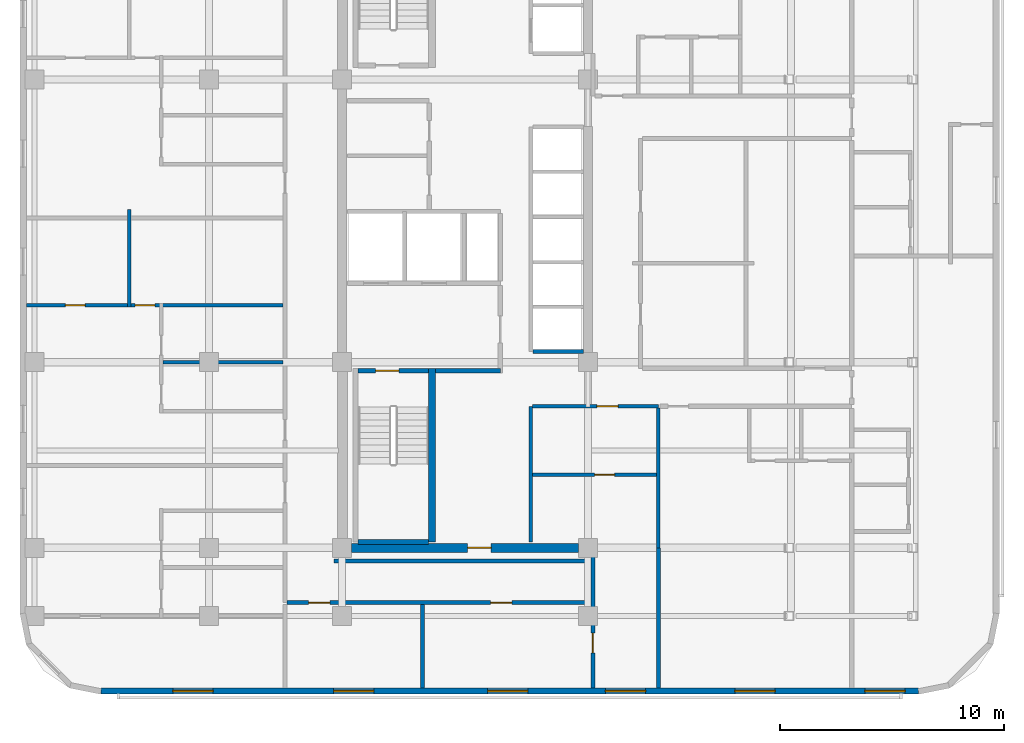
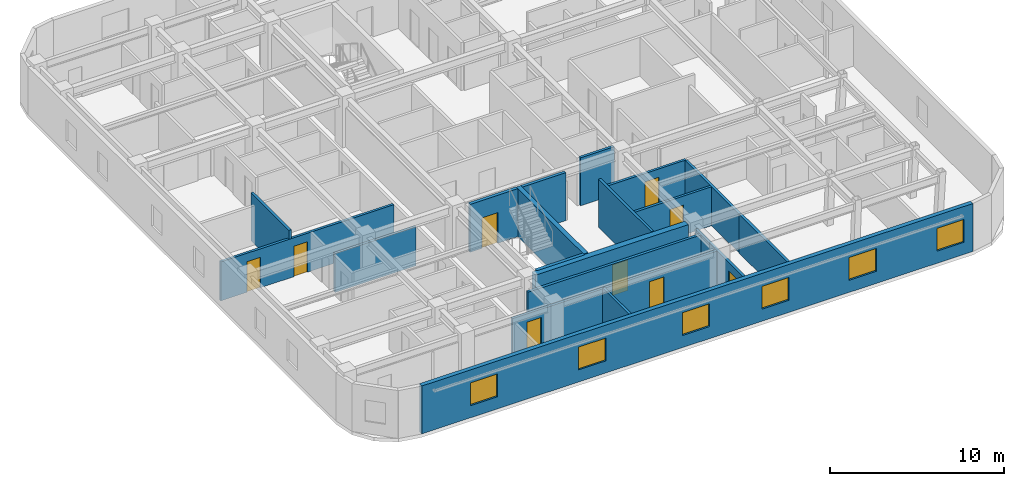
# One storey, part 3 of 11: 19 walls, 9 doors, 6 windows, 15 openings.
"""IFC4 building model written with IfcOpenShell, lengths in metres."""

from ifc_helpers import new_model, si_unit, direction, frame, frame_2d, origin, place, context, subcontext, project, spatial, rectangle, extrude, material, layer, layer_set, type_object, element, fill, save


model = new_model("IFC4")

# Units and contexts
model_context = context("Model", 3, precision=1e-05, world=origin(), true_north=direction((0.0, 1.0)))
body_context = subcontext(model_context, "Body", "Model", "MODEL_VIEW")
ifc_project = project(units=[si_unit("LENGTHUNIT", "METRE"), si_unit("AREAUNIT", "SQUARE_METRE"), si_unit("VOLUMEUNIT", "CUBIC_METRE"), si_unit("PLANEANGLEUNIT", "RADIAN"), si_unit("MASSUNIT", "GRAM", prefix="KILO")], contexts=[model_context])

# Site, building, storey
site_placement = place(None, origin())
site = spatial("IfcSite", under=ifc_project, at=site_placement, CompositionType="ELEMENT")
building_placement = place(site_placement, origin())
building = spatial("IfcBuilding", under=site, at=building_placement, Name="Ochreholt Gables", CompositionType="ELEMENT")
storey_placement = place(building_placement, frame((0.0, 0.0, 121.199951171875)))
storey = spatial("IfcBuildingStorey", under=building, at=storey_placement, Name="L31", CompositionType="ELEMENT", Elevation=121.199951171875)

# Wall, opening, door
ifc_material_1 = material(Name="Concrete 60 MPa", Category="concrete")
ifc_layer_1 = layer(ifc_material_1, 0.39990234375, Name="Concrete 60 MPa")
ifc_layer_set_1 = layer_set([ifc_layer_1], Name="Concrete 60 MPa")
wall_type_1 = type_object("IfcWallType", Name="WALL-CSW-400", PredefinedType="SHEAR", material=ifc_layer_set_1)
wall_1_placement = place(storey_placement, frame((24.625, 9.25, 0.0), z_axis=(0.0, 0.0, 1.0), x_axis=(1.0, 0.0, 0.0)))
wall_1 = element("IfcWall", 1, at=wall_1_placement, inside=storey, type_object=wall_type_1, Name="L31 Core South Shear Wall", PredefinedType="SHEAR", context=body_context, shape_type="SweptSolid", body=[
    extrude(rectangle(XDim=10.14990234375, YDim=0.39990234375, at=frame_2d((5.074951171875, 0.0))), origin(), (0.0, 0.0, 1.0), 3.360107421875),
])
opening_1_placement = place(wall_1_placement, frame((5.199951171875, 0.0, 0.0)))
opening_1 = element("IfcOpeningElement", 2, at=opening_1_placement, cuts=wall_1, Name="Opening D-FLB", PredefinedType="OPENING", context=body_context, shape_type="SweptSolid", body=[
    extrude(rectangle(XDim=1.050048828125, YDim=2.14990234375, at=frame_2d((0.52490234375, 1.074951171875))), frame((0.0, 0.2099609375, 0.0), z_axis=(0.0, -1.0, 0.0), x_axis=(1.0, 0.0, 0.0)), (0.0, 0.0, 1.0), 0.419921875),
])
ifc_material_2 = material(Name="Hollow Metal Steel", Category="steel")
door_type_1 = type_object("IfcDoorType", Name="DR-INT-FLB1050", OperationType="NOTDEFINED", PredefinedType="DOOR", material=ifc_material_2)
door_1_placement = place(opening_1_placement, origin())
door_1 = element("IfcDoor", 3, at=door_1_placement, inside=storey, type_object=door_type_1, Name="L31 Door D-C2CRS-L31", OperationType="SINGLE_SWING_LEFT", OverallHeight=2.14990234375, OverallWidth=1.050048828125, PredefinedType="DOOR", context=body_context, shape_type="SweptSolid", body=[
    extrude(rectangle(XDim=1.050048828125, YDim=2.14990234375, at=frame_2d((0.52490234375, 1.074951171875))), frame((0.0, 0.02490234375, 0.0), z_axis=(0.0, -1.0, 0.0), x_axis=(1.0, 0.0, 0.0)), (0.0, 0.0, 1.0), 0.050048828125),
])
fill(opening_1, door_1)

# Wall, openings, windows
ifc_material_3 = material(Name="Precast concrete 40 MPa", Category="concrete")
ifc_layer_2 = layer(ifc_material_3, 0.280029296875, Name="Precast concrete 40 MPa")
ifc_layer_set_2 = layer_set([ifc_layer_2], Name="Precast concrete 40 MPa")
wall_type_2 = type_object("IfcWallType", Name="WALL-EXT-280", PredefinedType="SOLIDWALL", material=ifc_layer_set_2)
wall_2_placement = place(storey_placement, frame((13.419921875, 2.840087890625, 0.0), z_axis=(0.0, 0.0, 1.0), x_axis=(1.0, 0.0, 0.0)))
wall_2 = element("IfcWall", 4, at=wall_2_placement, inside=storey, type_object=wall_type_2, Name="L31 South Exterior Wall", PredefinedType="SOLIDWALL", context=body_context, shape_type="SweptSolid", body=[
    extrude(rectangle(XDim=36.56005859375, YDim=0.280029296875, at=frame_2d((18.280029296875, 0.0))), origin(), (0.0, 0.0, 1.0), 3.360107421875),
])
opening_2_placement = place(wall_2_placement, frame((3.215087890625, 0.0, 0.85009765625)))
opening_2 = element("IfcOpeningElement", 5, at=opening_2_placement, cuts=wall_2, Name="Opening WN-1", PredefinedType="OPENING", context=body_context, shape_type="SweptSolid", body=[
    extrude(rectangle(XDim=1.800048828125, YDim=1.60009765625, at=frame_2d((0.89990234375, 0.800048828125))), frame((0.0, 0.14990234375, 0.0), z_axis=(0.0, -1.0, 0.0), x_axis=(1.0, 0.0, 0.0)), (0.0, 0.0, 1.0), 0.300048828125),
])
opening_3_placement = place(wall_2_placement, frame((10.405029296875, 0.0, 0.85009765625)))
opening_3 = element("IfcOpeningElement", 6, at=opening_3_placement, cuts=wall_2, Name="Opening WN-1", PredefinedType="OPENING", context=body_context, shape_type="SweptSolid", body=[
    extrude(rectangle(XDim=1.800048828125, YDim=1.60009765625, at=frame_2d((0.89990234375, 0.800048828125))), frame((0.0, 0.14990234375, 0.0), z_axis=(0.0, -1.0, 0.0), x_axis=(1.0, 0.0, 0.0)), (0.0, 0.0, 1.0), 0.300048828125),
])
opening_4_placement = place(wall_2_placement, frame((17.2900390625, 0.0, 0.85009765625)))
opening_4 = element("IfcOpeningElement", 7, at=opening_4_placement, cuts=wall_2, Name="Opening WN-1", PredefinedType="OPENING", context=body_context, shape_type="SweptSolid", body=[
    extrude(rectangle(XDim=1.800048828125, YDim=1.60009765625, at=frame_2d((0.89990234375, 0.800048828125))), frame((0.0, 0.14990234375, 0.0), z_axis=(0.0, -1.0, 0.0), x_axis=(1.0, 0.0, 0.0)), (0.0, 0.0, 1.0), 0.300048828125),
])
opening_5_placement = place(wall_2_placement, frame((22.56494140625, 0.0, 0.85009765625)))
opening_5 = element("IfcOpeningElement", 8, at=opening_5_placement, cuts=wall_2, Name="Opening WN-1", PredefinedType="OPENING", context=body_context, shape_type="SweptSolid", body=[
    extrude(rectangle(XDim=1.800048828125, YDim=1.60009765625, at=frame_2d((0.89990234375, 0.800048828125))), frame((0.0, 0.14990234375, 0.0), z_axis=(0.0, -1.0, 0.0), x_axis=(1.0, 0.0, 0.0)), (0.0, 0.0, 1.0), 0.300048828125),
])
opening_6_placement = place(wall_2_placement, frame((28.35498046875, 0.0, 0.85009765625)))
opening_6 = element("IfcOpeningElement", 9, at=opening_6_placement, cuts=wall_2, Name="Opening WN-1", PredefinedType="OPENING", context=body_context, shape_type="SweptSolid", body=[
    extrude(rectangle(XDim=1.800048828125, YDim=1.60009765625, at=frame_2d((0.89990234375, 0.800048828125))), frame((0.0, 0.14990234375, 0.0), z_axis=(0.0, -1.0, 0.0), x_axis=(1.0, 0.0, 0.0)), (0.0, 0.0, 1.0), 0.300048828125),
])
opening_7_placement = place(wall_2_placement, frame((34.169921875, 0.0, 0.85009765625)))
opening_7 = element("IfcOpeningElement", 10, at=opening_7_placement, cuts=wall_2, Name="Opening WN-1", PredefinedType="OPENING", context=body_context, shape_type="SweptSolid", body=[
    extrude(rectangle(XDim=1.800048828125, YDim=1.60009765625, at=frame_2d((0.89990234375, 0.800048828125))), frame((0.0, 0.14990234375, 0.0), z_axis=(0.0, -1.0, 0.0), x_axis=(1.0, 0.0, 0.0)), (0.0, 0.0, 1.0), 0.300048828125),
])
ifc_material_4 = material(Name="Triple-Glazed Thermally Broken Aluminium Window", Category="aluminium")
window_type = type_object("IfcWindowType", Name="WIN-RES-1800", PartitioningType="SINGLE_PANEL", PredefinedType="WINDOW", material=ifc_material_4)
window_1_placement = place(opening_2_placement, origin())
window_1 = element("IfcWindow", 11, at=window_1_placement, inside=storey, type_object=window_type, Name="L31 Window W-EXT-S-L31-1", OverallHeight=1.60009765625, OverallWidth=1.800048828125, PartitioningType="SINGLE_PANEL", PredefinedType="WINDOW", context=body_context, shape_type="SweptSolid", body=[
    extrude(rectangle(XDim=1.800048828125, YDim=1.60009765625, at=frame_2d((0.89990234375, 0.800048828125))), frame((0.0, 0.030029296875, 0.0), z_axis=(0.0, -1.0, 0.0), x_axis=(1.0, 0.0, 0.0)), (0.0, 0.0, 1.0), 0.06005859375),
])
fill(opening_2, window_1)
window_2_placement = place(opening_3_placement, origin())
window_2 = element("IfcWindow", 12, at=window_2_placement, inside=storey, type_object=window_type, Name="L31 Window W-EXT-S-L31-2", OverallHeight=1.60009765625, OverallWidth=1.800048828125, PartitioningType="SINGLE_PANEL", PredefinedType="WINDOW", context=body_context, shape_type="SweptSolid", body=[
    extrude(rectangle(XDim=1.800048828125, YDim=1.60009765625, at=frame_2d((0.89990234375, 0.800048828125))), frame((0.0, 0.030029296875, 0.0), z_axis=(0.0, -1.0, 0.0), x_axis=(1.0, 0.0, 0.0)), (0.0, 0.0, 1.0), 0.06005859375),
])
fill(opening_3, window_2)
window_3_placement = place(opening_4_placement, origin())
window_3 = element("IfcWindow", 13, at=window_3_placement, inside=storey, type_object=window_type, Name="L31 Window W-EXT-S-L31-3", OverallHeight=1.60009765625, OverallWidth=1.800048828125, PartitioningType="SINGLE_PANEL", PredefinedType="WINDOW", context=body_context, shape_type="SweptSolid", body=[
    extrude(rectangle(XDim=1.800048828125, YDim=1.60009765625, at=frame_2d((0.89990234375, 0.800048828125))), frame((0.0, 0.030029296875, 0.0), z_axis=(0.0, -1.0, 0.0), x_axis=(1.0, 0.0, 0.0)), (0.0, 0.0, 1.0), 0.06005859375),
])
fill(opening_4, window_3)
window_4_placement = place(opening_5_placement, origin())
window_4 = element("IfcWindow", 14, at=window_4_placement, inside=storey, type_object=window_type, Name="L31 Window W-EXT-S-L31-4", OverallHeight=1.60009765625, OverallWidth=1.800048828125, PartitioningType="SINGLE_PANEL", PredefinedType="WINDOW", context=body_context, shape_type="SweptSolid", body=[
    extrude(rectangle(XDim=1.800048828125, YDim=1.60009765625, at=frame_2d((0.89990234375, 0.800048828125))), frame((0.0, 0.030029296875, 0.0), z_axis=(0.0, -1.0, 0.0), x_axis=(1.0, 0.0, 0.0)), (0.0, 0.0, 1.0), 0.06005859375),
])
fill(opening_5, window_4)
window_5_placement = place(opening_6_placement, origin())
window_5 = element("IfcWindow", 15, at=window_5_placement, inside=storey, type_object=window_type, Name="L31 Window W-EXT-S-L31-5", OverallHeight=1.60009765625, OverallWidth=1.800048828125, PartitioningType="SINGLE_PANEL", PredefinedType="WINDOW", context=body_context, shape_type="SweptSolid", body=[
    extrude(rectangle(XDim=1.800048828125, YDim=1.60009765625, at=frame_2d((0.89990234375, 0.800048828125))), frame((0.0, 0.030029296875, 0.0), z_axis=(0.0, -1.0, 0.0), x_axis=(1.0, 0.0, 0.0)), (0.0, 0.0, 1.0), 0.06005859375),
])
fill(opening_6, window_5)
window_6_placement = place(opening_7_placement, origin())
window_6 = element("IfcWindow", 16, at=window_6_placement, inside=storey, type_object=window_type, Name="L31 Window W-EXT-S-L31-6", OverallHeight=1.60009765625, OverallWidth=1.800048828125, PartitioningType="SINGLE_PANEL", PredefinedType="WINDOW", context=body_context, shape_type="SweptSolid", body=[
    extrude(rectangle(XDim=1.800048828125, YDim=1.60009765625, at=frame_2d((0.89990234375, 0.800048828125))), frame((0.0, 0.030029296875, 0.0), z_axis=(0.0, -1.0, 0.0), x_axis=(1.0, 0.0, 0.0)), (0.0, 0.0, 1.0), 0.06005859375),
])
fill(opening_7, window_6)

# Wall
ifc_material_5 = material(Name="Concrete 40 MPa", Category="concrete")
ifc_layer_3 = layer(ifc_material_5, 0.199951171875, Name="Concrete 40 MPa")
ifc_layer_set_3 = layer_set([ifc_layer_3], Name="Concrete 40 MPa")
wall_type_3 = type_object("IfcWallType", Name="WALL-INT-CF200", PredefinedType="STANDARD", material=ifc_layer_set_3)
wall_3_placement = place(storey_placement, frame((28.3798828125, 17.169921875, 0.0), z_axis=(0.0, 0.0, 1.0), x_axis=(1.0, 0.0, 0.0)))
element("IfcWall", 17, at=wall_3_placement, inside=storey, type_object=wall_type_3, Name="L31 Interior Wall WI-FFS-L31", PredefinedType="STANDARD", context=body_context, shape_type="SweptSolid", body=[
    extrude(rectangle(XDim=2.900146484375, YDim=0.199951171875, at=frame_2d((1.4501953125, 0.0))), origin(), (0.0, 0.0, 1.0), 3.360107421875),
])

# Wall, openings, doors
ifc_material_6 = material(Name="Fire-Rated Gypsum Acoustic Partition", Category="gypsum")
ifc_layer_4 = layer(ifc_material_6, 0.179931640625, Name="Fire-Rated Gypsum Acoustic Partition")
ifc_layer_set_4 = layer_set([ifc_layer_4], Name="Fire-Rated Gypsum Acoustic Partition")
wall_type_4 = type_object("IfcWallType", Name="WALL-INT-CR180", PredefinedType="STANDARD", material=ifc_layer_set_4)
wall_4_placement = place(storey_placement, frame((21.739990234375, 6.800048828125, 0.0), z_axis=(0.0, 0.0, 1.0), x_axis=(1.0, 0.0, 0.0)))
wall_4 = element("IfcWall", 18, at=wall_4_placement, inside=storey, type_object=wall_type_4, Name="L31 Interior Wall WI-C2WCS-L31", PredefinedType="STANDARD", context=body_context, shape_type="SweptSolid", body=[
    extrude(rectangle(XDim=13.679931640625, YDim=0.179931640625, at=frame_2d((6.83984375, 0.0))), origin(), (0.0, 0.0, 1.0), 2.73095703125),
])
opening_8_placement = place(wall_4_placement, frame((0.969970703125, 0.0, 0.0)))
opening_8 = element("IfcOpeningElement", 19, at=opening_8_placement, cuts=wall_4, Name="Opening D-GN1", PredefinedType="OPENING", context=body_context, shape_type="SweptSolid", body=[
    extrude(rectangle(XDim=0.949951171875, YDim=2.14990234375, at=frame_2d((0.47509765625, 1.074951171875))), frame((0.0, 0.099853515625, 0.0), z_axis=(0.0, -1.0, 0.0), x_axis=(1.0, 0.0, 0.0)), (0.0, 0.0, 1.0), 0.199951171875),
])
opening_9_placement = place(wall_4_placement, frame((9.110107421875, 0.0, 0.0)))
opening_9 = element("IfcOpeningElement", 20, at=opening_9_placement, cuts=wall_4, Name="Opening D-GN1", PredefinedType="OPENING", context=body_context, shape_type="SweptSolid", body=[
    extrude(rectangle(XDim=0.949951171875, YDim=2.14990234375, at=frame_2d((0.47509765625, 1.074951171875))), frame((0.0, 0.099853515625, 0.0), z_axis=(0.0, -1.0, 0.0), x_axis=(1.0, 0.0, 0.0)), (0.0, 0.0, 1.0), 0.199951171875),
])
ifc_material_7 = material(Name="Engineered Oak Timber", Category="wood")
door_type_2 = type_object("IfcDoorType", Name="DR-INT-GEN950", OperationType="NOTDEFINED", PredefinedType="DOOR", material=ifc_material_7)
door_2_placement = place(opening_8_placement, origin())
door_2 = element("IfcDoor", 21, at=door_2_placement, inside=storey, type_object=door_type_2, Name="L31 Door D-C2STL1-L31", OperationType="SINGLE_SWING_LEFT", OverallHeight=2.14990234375, OverallWidth=0.949951171875, PredefinedType="DOOR", context=body_context, shape_type="SweptSolid", body=[
    extrude(rectangle(XDim=0.949951171875, YDim=2.14990234375, at=frame_2d((0.47509765625, 1.074951171875))), frame((0.0, 0.02490234375, 0.0), z_axis=(0.0, -1.0, 0.0), x_axis=(1.0, 0.0, 0.0)), (0.0, 0.0, 1.0), 0.050048828125),
])
fill(opening_8, door_2)
door_3_placement = place(opening_9_placement, origin())
door_3 = element("IfcDoor", 22, at=door_3_placement, inside=storey, type_object=door_type_2, Name="L31 Door D-C2STL2-L31", OperationType="SINGLE_SWING_RIGHT", OverallHeight=2.14990234375, OverallWidth=0.949951171875, PredefinedType="DOOR", context=body_context, shape_type="SweptSolid", body=[
    extrude(rectangle(XDim=0.949951171875, YDim=2.14990234375, at=frame_2d((0.47509765625, 1.074951171875))), frame((0.0, 0.02490234375, 0.0), z_axis=(0.0, -1.0, 0.0), x_axis=(1.0, 0.0, 0.0)), (0.0, 0.0, 1.0), 0.050048828125),
])
fill(opening_9, door_3)

# Wall
wall_5_placement = place(storey_placement, frame((23.85009765625, 8.64990234375, 0.0), z_axis=(0.0, 0.0, 1.0), x_axis=(1.0, 0.0, 0.0)))
element("IfcWall", 23, at=wall_5_placement, inside=storey, type_object=wall_type_4, Name="L31 Interior Wall WI-C2WCS2-L31", PredefinedType="STANDARD", context=body_context, shape_type="SweptSolid", body=[
    extrude(rectangle(XDim=11.56982421875, YDim=0.179931640625, at=frame_2d((5.784912109375, 0.0))), origin(), (0.0, 0.0, 1.0), 2.73095703125),
])

# Wall, opening, door
ifc_material_8 = material(Name="Double-Stud Acoustic Demising Wall", Category="gypsum")
ifc_layer_5 = layer(ifc_material_8, 0.179931640625, Name="Double-Stud Acoustic Demising Wall")
ifc_layer_set_5 = layer_set([ifc_layer_5], Name="Double-Stud Acoustic Demising Wall")
wall_type_5 = type_object("IfcWallType", Name="WALL-INT-DM180", PredefinedType="PARTITIONING", material=ifc_layer_set_5)
wall_6_placement = place(storey_placement, frame((35.419921875, 2.97998046875, 0.0), z_axis=(0.0, 0.0, 1.0), x_axis=(0.0, 1.0, 0.0)))
wall_6 = element("IfcWall", 24, at=wall_6_placement, inside=storey, type_object=wall_type_5, Name="L31 Interior Wall WI-C2SES-L31", PredefinedType="PARTITIONING", context=body_context, shape_type="SweptSolid", body=[
    extrude(rectangle(XDim=6.27001953125, YDim=0.179931640625, at=frame_2d((3.135009765625, 0.0))), origin(), (0.0, 0.0, 1.0), 2.73095703125),
])
opening_10_placement = place(wall_6_placement, frame((1.570068359375, 0.0, 0.0)))
opening_10 = element("IfcOpeningElement", 25, at=opening_10_placement, cuts=wall_6, Name="Opening D-GN2", PredefinedType="OPENING", context=body_context, shape_type="SweptSolid", body=[
    extrude(rectangle(XDim=0.8798828125, YDim=2.1201171875, at=frame_2d((0.43994140625, 1.06005859375))), frame((0.0, 0.099853515625, 0.0), z_axis=(0.0, -1.0, 0.0), x_axis=(1.0, 0.0, 0.0)), (0.0, 0.0, 1.0), 0.199951171875),
])
door_type_3 = type_object("IfcDoorType", Name="DR-INT-GEN880", OperationType="NOTDEFINED", PredefinedType="DOOR", material=ifc_material_7)
door_4_placement = place(opening_10_placement, origin())
door_4 = element("IfcDoor", 26, at=door_4_placement, inside=storey, type_object=door_type_3, Name="L31 Door D-C2SPS-L31", OperationType="SINGLE_SWING_LEFT", OverallHeight=2.1201171875, OverallWidth=0.8798828125, PredefinedType="DOOR", context=body_context, shape_type="SweptSolid", body=[
    extrude(rectangle(XDim=0.8798828125, YDim=2.1201171875, at=frame_2d((0.43994140625, 1.06005859375))), frame((0.0, 0.02490234375, 0.0), z_axis=(0.0, -1.0, 0.0), x_axis=(1.0, 0.0, 0.0)), (0.0, 0.0, 1.0), 0.050048828125),
])
fill(opening_10, door_4)

# Walls
wall_7_placement = place(storey_placement, frame((38.35009765625, 2.97998046875, 0.0), z_axis=(0.0, 0.0, 1.0), x_axis=(0.0, 1.0, 0.0)))
element("IfcWall", 27, at=wall_7_placement, inside=storey, type_object=wall_type_5, Name="L31 Interior Wall WI-C2SEW2-L31", PredefinedType="PARTITIONING", context=body_context, shape_type="SweptSolid", body=[
    extrude(rectangle(XDim=6.27001953125, YDim=0.179931640625, at=frame_2d((3.135009765625, 0.0))), origin(), (0.0, 0.0, 1.0), 2.73095703125),
])
ifc_material_9 = material(Name="Moisture-Resistant Plumbing Chase Wall", Category="gypsum")
ifc_layer_6 = layer(ifc_material_9, 0.159912109375, Name="Moisture-Resistant Plumbing Chase Wall")
ifc_layer_set_6 = layer_set([ifc_layer_6], Name="Moisture-Resistant Plumbing Chase Wall")
wall_type_6 = type_object("IfcWallType", Name="WALL-INT-PL160", PredefinedType="PLUMBINGWALL", material=ifc_layer_set_6)
wall_8_placement = place(storey_placement, frame((16.18994140625, 17.539306640625, 0.0), z_axis=(0.0, 0.0, 1.0), x_axis=(1.0, 0.0, 0.0)))
element("IfcWall", 28, at=wall_8_placement, inside=storey, type_object=wall_type_6, Name="L31 Interior Wall WU-L31W2-WK", PredefinedType="PLUMBINGWALL", context=body_context, shape_type="SweptSolid", body=[
    extrude(rectangle(XDim=5.3701171875, YDim=0.159912109375, at=frame_2d((2.68505859375, 0.0))), origin(), (0.0, 0.0, 1.0), 2.73095703125),
])
ifc_material_10 = material(Name="Gypsum Acoustic Stud Partition", Category="gypsum")
ifc_layer_7 = layer(ifc_material_10, 0.1650390625, Name="Gypsum Acoustic Stud Partition")
ifc_layer_set_7 = layer_set([ifc_layer_7], Name="Gypsum Acoustic Stud Partition")
wall_type_7 = type_object("IfcWallType", Name="WALL-INT-PT165", PredefinedType="PARTITIONING", material=ifc_layer_set_7)
wall_9_placement = place(storey_placement, frame((32.64990234375, 9.5, 0.0), z_axis=(0.0, 0.0, 1.0), x_axis=(0.0, 1.0, 0.0)))
element("IfcWall", 29, at=wall_9_placement, inside=storey, type_object=wall_type_7, Name="L31 Interior Wall WI-RCL-W-L31", PredefinedType="PARTITIONING", context=body_context, shape_type="SweptSolid", body=[
    extrude(rectangle(XDim=6.080078125, YDim=0.1650390625, at=frame_2d((3.0400390625, 0.0))), origin(), (0.0, 0.0, 1.0), 3.360107421875),
])

# Wall, opening, door
wall_10_placement = place(storey_placement, frame((32.732421875, 15.580078125, 0.0), z_axis=(0.0, 0.0, 1.0), x_axis=(1.0, 0.0, 0.0)))
wall_10 = element("IfcWall", 30, at=wall_10_placement, inside=storey, type_object=wall_type_7, Name="L31 Interior Wall WI-RCL-N-L31", PredefinedType="PARTITIONING", context=body_context, shape_type="SweptSolid", body=[
    extrude(rectangle(XDim=5.61767578125, YDim=0.1650390625, at=frame_2d((2.808837890625, 0.0))), origin(), (0.0, 0.0, 1.0), 2.73095703125),
])
opening_11_placement = place(wall_10_placement, frame((2.867431640625, 0.0, 0.0)))
opening_11 = element("IfcOpeningElement", 31, at=opening_11_placement, cuts=wall_10, Name="Opening D-GN1", PredefinedType="OPENING", context=body_context, shape_type="SweptSolid", body=[
    extrude(rectangle(XDim=0.949951171875, YDim=2.14990234375, at=frame_2d((0.47509765625, 1.074951171875))), frame((0.0, 0.092529296875, 0.0), z_axis=(0.0, -1.0, 0.0), x_axis=(1.0, 0.0, 0.0)), (0.0, 0.0, 1.0), 0.18505859375),
])
door_5_placement = place(opening_11_placement, origin())
door_5 = element("IfcDoor", 32, at=door_5_placement, inside=storey, type_object=door_type_2, Name="L31 Door D-RCL-L31", OperationType="SINGLE_SWING_LEFT", OverallHeight=2.14990234375, OverallWidth=0.949951171875, PredefinedType="DOOR", context=body_context, shape_type="SweptSolid", body=[
    extrude(rectangle(XDim=0.949951171875, YDim=2.14990234375, at=frame_2d((0.47509765625, 1.074951171875))), frame((0.0, 0.02490234375, 0.0), z_axis=(0.0, -1.0, 0.0), x_axis=(1.0, 0.0, 0.0)), (0.0, 0.0, 1.0), 0.050048828125),
])
fill(opening_11, door_5)

# Wall
wall_11_placement = place(storey_placement, frame((38.35009765625, 9.25, 0.0), z_axis=(0.0, 0.0, 1.0), x_axis=(0.0, 1.0, 0.0)))
element("IfcWall", 33, at=wall_11_placement, inside=storey, type_object=wall_type_7, Name="L31 Interior Wall WI-RCL-E-L31", PredefinedType="PARTITIONING", context=body_context, shape_type="SweptSolid", body=[
    extrude(rectangle(XDim=6.24755859375, YDim=0.1650390625, at=frame_2d((3.123779296875, 0.0))), origin(), (0.0, 0.0, 1.0), 2.73095703125),
])

# Wall, opening, door
wall_12_placement = place(storey_placement, frame((32.732421875, 12.52001953125, 0.0), z_axis=(0.0, 0.0, 1.0), x_axis=(1.0, 0.0, 0.0)))
wall_12 = element("IfcWall", 34, at=wall_12_placement, inside=storey, type_object=wall_type_7, Name="L31 Interior Wall WI-RCL-DV-L31", PredefinedType="PARTITIONING", context=body_context, shape_type="SweptSolid", body=[
    extrude(rectangle(XDim=5.53515625, YDim=0.1650390625, at=frame_2d((2.767578125, 0.0))), origin(), (0.0, 0.0, 1.0), 2.73095703125),
])
opening_12_placement = place(wall_12_placement, frame((2.767578125, 0.0, 0.0)))
opening_12 = element("IfcOpeningElement", 35, at=opening_12_placement, cuts=wall_12, Name="Opening D-SV1", PredefinedType="OPENING", context=body_context, shape_type="SweptSolid", body=[
    extrude(rectangle(XDim=0.89990234375, YDim=2.10009765625, at=frame_2d((0.449951171875, 1.050048828125))), frame((0.0, 0.092529296875, 0.0), z_axis=(0.0, -1.0, 0.0), x_axis=(1.0, 0.0, 0.0)), (0.0, 0.0, 1.0), 0.18505859375),
])
door_type_4 = type_object("IfcDoorType", Name="DR-INT-SRV900", OperationType="NOTDEFINED", PredefinedType="DOOR", material=ifc_material_2)
door_6_placement = place(opening_12_placement, origin())
door_6 = element("IfcDoor", 36, at=door_6_placement, inside=storey, type_object=door_type_4, Name="L31 Door D-RCLI-L31", OperationType="SINGLE_SWING_RIGHT", OverallHeight=2.10009765625, OverallWidth=0.89990234375, PredefinedType="DOOR", context=body_context, shape_type="SweptSolid", body=[
    extrude(rectangle(XDim=0.89990234375, YDim=2.10009765625, at=frame_2d((0.449951171875, 1.050048828125))), frame((0.0, 0.02490234375, 0.0), z_axis=(0.0, -1.0, 0.0), x_axis=(1.0, 0.0, 0.0)), (0.0, 0.0, 1.0), 0.050048828125),
])
fill(opening_12, door_6)

# Wall, openings, doors
wall_13_placement = place(storey_placement, frame((10.080078125, 20.096435546875, 0.0), z_axis=(0.0, 0.0, 1.0), x_axis=(1.0, 0.0, 0.0)))
wall_13 = element("IfcWall", 37, at=wall_13_placement, inside=storey, type_object=wall_type_7, Name="L31 Interior Wall WU-L31W2-MN", PredefinedType="PARTITIONING", context=body_context, shape_type="SweptSolid", body=[
    extrude(rectangle(XDim=11.47998046875, YDim=0.1650390625, at=frame_2d((5.739990234375, 0.0))), origin(), (0.0, 0.0, 1.0), 2.73095703125),
])
opening_13_placement = place(wall_13_placement, frame((1.75, 0.0, 0.0)))
opening_13 = element("IfcOpeningElement", 38, at=opening_13_placement, cuts=wall_13, Name="Opening D-BD2", PredefinedType="OPENING", context=body_context, shape_type="SweptSolid", body=[
    extrude(rectangle(XDim=0.8798828125, YDim=2.139892578125, at=frame_2d((0.43994140625, 1.06982421875))), frame((0.0, 0.092529296875, 0.0), z_axis=(0.0, -1.0, 0.0), x_axis=(1.0, 0.0, 0.0)), (0.0, 0.0, 1.0), 0.18505859375),
])
opening_14_placement = place(wall_13_placement, frame((4.8701171875, 0.0, 0.0)))
opening_14 = element("IfcOpeningElement", 39, at=opening_14_placement, cuts=wall_13, Name="Opening D-BD2", PredefinedType="OPENING", context=body_context, shape_type="SweptSolid", body=[
    extrude(rectangle(XDim=0.8798828125, YDim=2.139892578125, at=frame_2d((0.43994140625, 1.06982421875))), frame((0.0, 0.092529296875, 0.0), z_axis=(0.0, -1.0, 0.0), x_axis=(1.0, 0.0, 0.0)), (0.0, 0.0, 1.0), 0.18505859375),
])
door_type_5 = type_object("IfcDoorType", Name="DR-INT-BED880", OperationType="NOTDEFINED", PredefinedType="DOOR", material=ifc_material_7)
door_7_placement = place(opening_13_placement, origin())
door_7 = element("IfcDoor", 40, at=door_7_placement, inside=storey, type_object=door_type_5, Name="L31 Door D-U-L31W2-BD1", OperationType="SINGLE_SWING_LEFT", OverallHeight=2.139892578125, OverallWidth=0.8798828125, PredefinedType="DOOR", context=body_context, shape_type="SweptSolid", body=[
    extrude(rectangle(XDim=0.8798828125, YDim=2.139892578125, at=frame_2d((0.43994140625, 1.06982421875))), frame((0.0, 0.02490234375, 0.0), z_axis=(0.0, -1.0, 0.0), x_axis=(1.0, 0.0, 0.0)), (0.0, 0.0, 1.0), 0.050048828125),
])
fill(opening_13, door_7)
door_8_placement = place(opening_14_placement, origin())
door_8 = element("IfcDoor", 41, at=door_8_placement, inside=storey, type_object=door_type_5, Name="L31 Door D-U-L31W2-BD2", OperationType="SINGLE_SWING_RIGHT", OverallHeight=2.139892578125, OverallWidth=0.8798828125, PredefinedType="DOOR", context=body_context, shape_type="SweptSolid", body=[
    extrude(rectangle(XDim=0.8798828125, YDim=2.139892578125, at=frame_2d((0.43994140625, 1.06982421875))), frame((0.0, 0.02490234375, 0.0), z_axis=(0.0, -1.0, 0.0), x_axis=(1.0, 0.0, 0.0)), (0.0, 0.0, 1.0), 0.050048828125),
])
fill(opening_14, door_8)

# Walls
wall_14_placement = place(storey_placement, frame((14.679931640625, 20.016357421875, 0.0), z_axis=(0.0, 0.0, 1.0), x_axis=(0.0, 1.0, 0.0)))
element("IfcWall", 42, at=wall_14_placement, inside=storey, type_object=wall_type_7, Name="L31 Interior Wall WU-L31W2-BSD", PredefinedType="PARTITIONING", context=body_context, shape_type="SweptSolid", body=[
    extrude(rectangle(XDim=4.37353515625, YDim=0.1650390625, at=frame_2d((2.186767578125, 0.0))), origin(), (0.0, 0.0, 1.0), 3.360107421875),
])
wall_15_placement = place(storey_placement, frame((27.800048828125, 2.97998046875, 0.0), z_axis=(0.0, 0.0, 1.0), x_axis=(0.0, 1.0, 0.0)))
element("IfcWall", 43, at=wall_15_placement, inside=storey, type_object=wall_type_7, Name="L31 Interior Wall WI-C2PKS-L31", PredefinedType="PARTITIONING", context=body_context, shape_type="SweptSolid", body=[
    extrude(rectangle(XDim=3.72998046875, YDim=0.1650390625, at=frame_2d((1.864990234375, 0.0))), origin(), (0.0, 0.0, 1.0), 2.80908203125),
])
ifc_material_11 = material(Name="Gypsum Shaftliner and Steel Stud", Category="steel")
ifc_layer_8 = layer(ifc_material_11, 0.179931640625, Name="Gypsum Shaftliner and Steel Stud")
ifc_layer_set_8 = layer_set([ifc_layer_8], Name="Gypsum Shaftliner and Steel Stud")
wall_type_8 = type_object("IfcWallType", Name="WALL-INT-SH180", PredefinedType="STANDARD", material=ifc_layer_set_8)
wall_16_placement = place(storey_placement, frame((32.739990234375, 18.02001953125, 0.0), z_axis=(0.0, 0.0, 1.0), x_axis=(1.0, 0.0, 0.0)))
element("IfcWall", 44, at=wall_16_placement, inside=storey, type_object=wall_type_8, Name="L31 Interior Wall WI-LFHE-S-L31", PredefinedType="STANDARD", context=body_context, shape_type="SweptSolid", body=[
    extrude(rectangle(XDim=2.260009765625, YDim=0.179931640625, at=frame_2d((1.1298828125, 0.0))), origin(), (0.0, 0.0, 1.0), 3.360107421875),
])
ifc_layer_9 = layer(ifc_material_1, 0.300048828125, Name="Concrete 60 MPa")
ifc_layer_set_9 = layer_set([ifc_layer_9], Name="Concrete 60 MPa")
wall_type_9 = type_object("IfcWallType", Name="WALL-SPN-300", PredefinedType="SHEAR", material=ifc_layer_set_9)
wall_17_placement = place(storey_placement, frame((28.22998046875, 9.5, 0.0), z_axis=(0.0, 0.0, 1.0), x_axis=(0.0, 1.0, 0.0)))
element("IfcWall", 45, at=wall_17_placement, inside=storey, type_object=wall_type_9, Name="L31 Core South Spine Shear Wall", PredefinedType="SHEAR", context=body_context, shape_type="SweptSolid", body=[
    extrude(rectangle(XDim=7.760009765625, YDim=0.300048828125, at=frame_2d((3.8798828125, 0.0))), origin(), (0.0, 0.0, 1.0), 3.360107421875),
])
ifc_material_12 = material(Name="Concrete 50 MPa", Category="concrete")
ifc_layer_10 = layer(ifc_material_12, 0.219970703125, Name="Concrete 50 MPa")
ifc_layer_set_10 = layer_set([ifc_layer_10], Name="Concrete 50 MPa")
wall_type_10 = type_object("IfcWallType", Name="WALL-STW-220", PredefinedType="SHEAR", material=ifc_layer_set_10)
wall_18_placement = place(storey_placement, frame((24.919921875, 9.510009765625, 0.0), z_axis=(0.0, 0.0, 1.0), x_axis=(1.0, 0.0, 0.0)))
element("IfcWall", 46, at=wall_18_placement, inside=storey, type_object=wall_type_10, Name="L31 Exit Stair 1 South Wall", PredefinedType="SHEAR", context=body_context, shape_type="SweptSolid", body=[
    extrude(rectangle(XDim=3.16015625, YDim=0.219970703125, at=frame_2d((1.580078125, 0.0))), origin(), (0.0, 0.0, 1.0), 3.360107421875),
])

# Wall, opening, door
wall_19_placement = place(storey_placement, frame((24.919921875, 17.169921875, 0.0), z_axis=(0.0, 0.0, 1.0), x_axis=(1.0, 0.0, 0.0)))
wall_19 = element("IfcWall", 47, at=wall_19_placement, inside=storey, type_object=wall_type_10, Name="L31 Exit Stair 1 North Wall", PredefinedType="SHEAR", context=body_context, shape_type="SweptSolid", body=[
    extrude(rectangle(XDim=3.16015625, YDim=0.219970703125, at=frame_2d((1.580078125, 0.0))), origin(), (0.0, 0.0, 1.0), 3.360107421875),
])
opening_15_placement = place(wall_19_placement, frame((0.780029296875, 0.0, 0.0)))
opening_15 = element("IfcOpeningElement", 48, at=opening_15_placement, cuts=wall_19, Name="Opening D-STC", PredefinedType="OPENING", context=body_context, shape_type="SweptSolid", body=[
    extrude(rectangle(XDim=1.050048828125, YDim=2.14990234375, at=frame_2d((0.52490234375, 1.074951171875))), frame((0.0, 0.119873046875, 0.0), z_axis=(0.0, -1.0, 0.0), x_axis=(1.0, 0.0, 0.0)), (0.0, 0.0, 1.0), 0.239990234375),
])
door_type_6 = type_object("IfcDoorType", Name="DR-INT-ST1050", OperationType="NOTDEFINED", PredefinedType="DOOR", material=ifc_material_2)
door_9_placement = place(opening_15_placement, frame((1.050048828125, 0.0, 0.0), z_axis=(0.0, 0.0, 1.0), x_axis=(-1.0, 0.0, 0.0)))
door_9 = element("IfcDoor", 49, at=door_9_placement, inside=storey, type_object=door_type_6, Name="L31 Door D-ST1-L31", OperationType="SINGLE_SWING_LEFT", OverallHeight=2.14990234375, OverallWidth=1.050048828125, PredefinedType="DOOR", context=body_context, shape_type="SweptSolid", body=[
    extrude(rectangle(XDim=1.050048828125, YDim=2.14990234375, at=frame_2d((0.52490234375, 1.074951171875))), frame((0.0, 0.02490234375, 0.0), z_axis=(0.0, -1.0, 0.0), x_axis=(1.0, 0.0, 0.0)), (0.0, 0.0, 1.0), 0.050048828125),
])
fill(opening_15, door_9)

save(model, "model.ifc")
